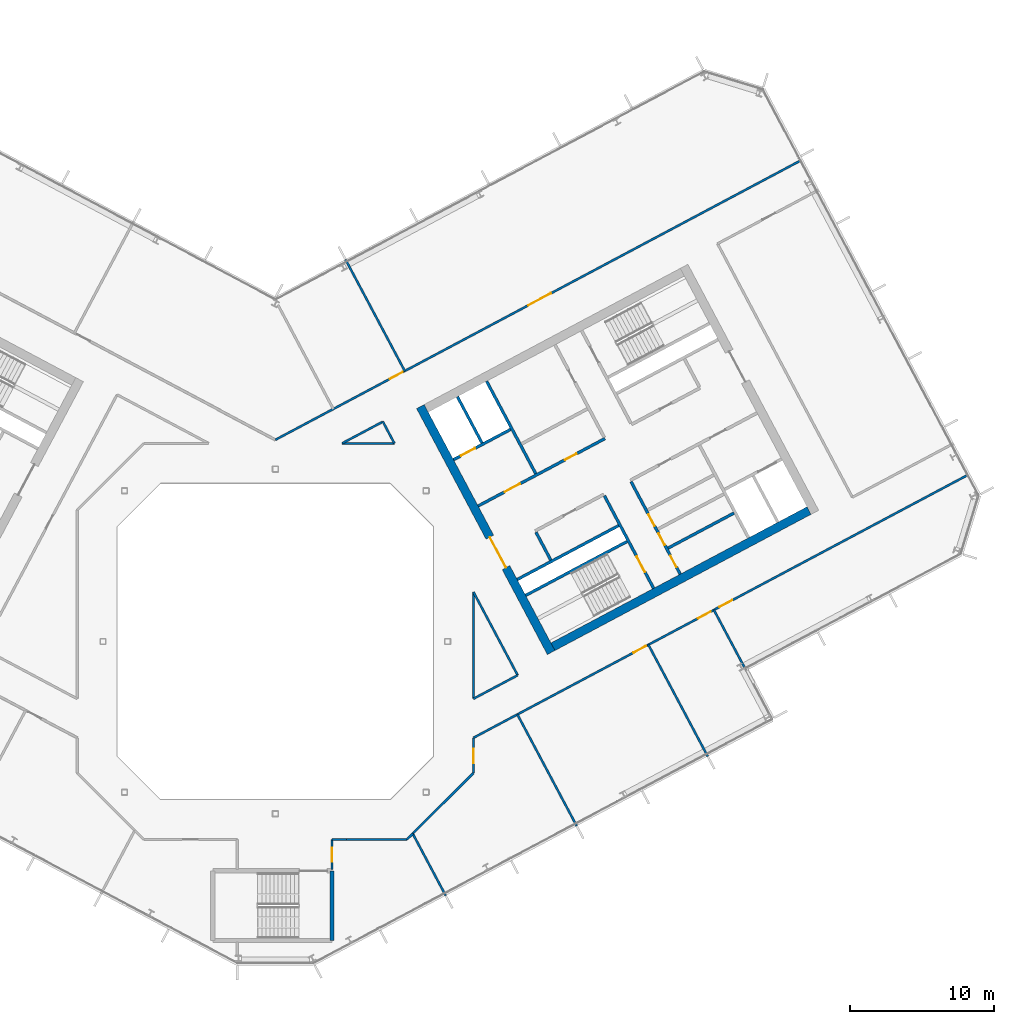
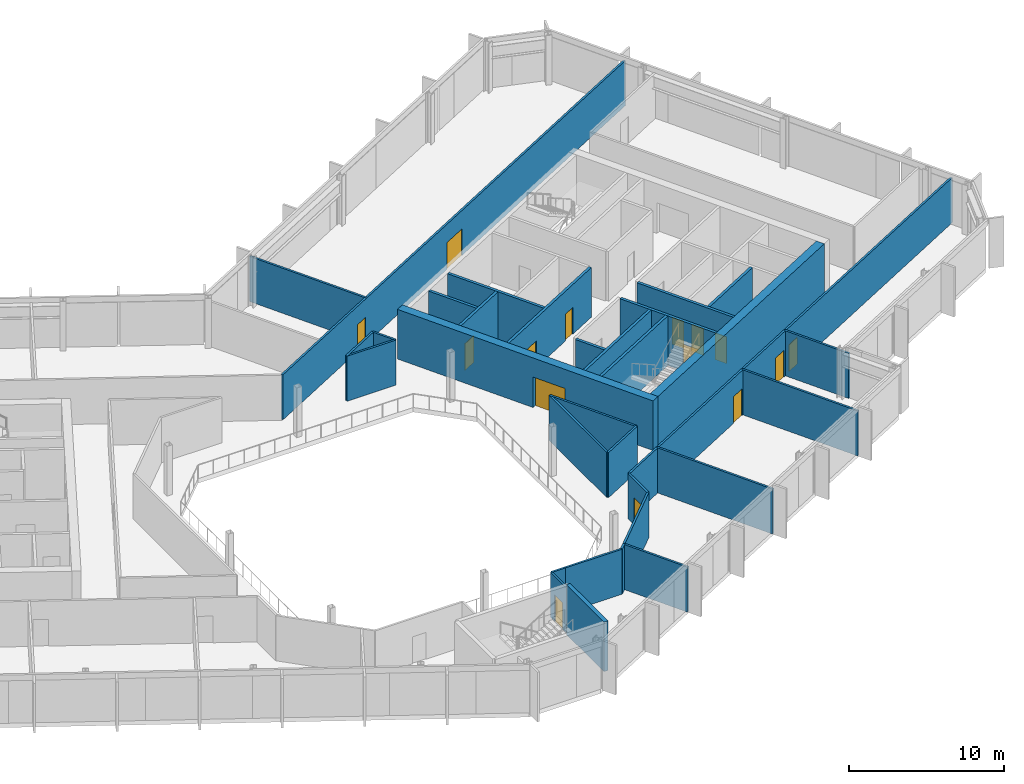
# One storey, part 15 of 26: 32 walls, 15 doors, 15 openings.
"""IFC4 building model written with IfcOpenShell, lengths in metres."""

from ifc_helpers import new_model, si_unit, direction, frame, frame_2d, origin, place, context, subcontext, project, spatial, rectangle, extrude, material, layer, layer_set, type_object, element, fill, save


model = new_model("IFC4")

# Units and contexts
model_context = context("Model", 3, precision=1e-05, world=origin(), true_north=direction((0.0, 1.0)))
body_context = subcontext(model_context, "Body", "Model", "MODEL_VIEW")
ifc_project = project(units=[si_unit("LENGTHUNIT", "METRE"), si_unit("AREAUNIT", "SQUARE_METRE"), si_unit("VOLUMEUNIT", "CUBIC_METRE"), si_unit("PLANEANGLEUNIT", "RADIAN"), si_unit("MASSUNIT", "GRAM", prefix="KILO")], contexts=[model_context])

# Site, building, storey
site_placement = place(None, origin())
site = spatial("IfcSite", under=ifc_project, at=site_placement, CompositionType="ELEMENT")
building_placement = place(site_placement, origin())
building = spatial("IfcBuilding", under=site, at=building_placement, Name="Cormorant Relay Tower", CompositionType="ELEMENT")
storey_placement = place(building_placement, frame((0.0, 0.0, 205.199951171875)))
storey = spatial("IfcBuildingStorey", under=building, at=storey_placement, Name="L44", CompositionType="ELEMENT", Elevation=205.199951171875)

# Walls
ifc_material_1 = material(Name="Concrete 40 MPa", Category="concrete")
ifc_layer_1 = layer(ifc_material_1, 0.199951171875)
ifc_layer_set_1 = layer_set([ifc_layer_1], Name="Core internal wall 200")
wall_type_1 = type_object("IfcWallType", Name="Core internal wall 200", PredefinedType="SOLIDWALL", material=ifc_layer_set_1)
wall_1_placement = place(storey_placement, frame((27.349365234375, 6.500732421875, 0.0), z_axis=(0.0, 0.0, 1.0), x_axis=(0.882953967957, 0.469459572775, 0.0)))
element("IfcWall", 1, at=wall_1_placement, inside=storey, type_object=wall_type_1, Name="L44 core B shaft and room wall", PredefinedType="SOLIDWALL", context=body_context, shape_type="SweptSolid", body=[
    extrude(rectangle(XDim=5.199951171875, YDim=0.199951171875, at=frame_2d((2.60009765625, 0.0))), origin(), (0.0, 0.0, 1.0), 3.900146484375),
])
ifc_material_2 = material(Name="Concrete 50 MPa", Category="concrete")
ifc_layer_2 = layer(ifc_material_2, 0.199951171875)
ifc_layer_set_2 = layer_set([ifc_layer_2], Name="Core shaft wall 200")
wall_type_2 = type_object("IfcWallType", Name="Core shaft wall 200", PredefinedType="SHEAR", material=ifc_layer_set_2)
wall_2_placement = place(storey_placement, frame((14.39404296875, 13.825927734375, 0.0), z_axis=(0.0, 0.0, 1.0), x_axis=(-0.469494272526, 0.882935517501, 0.0)))
element("IfcWall", 2, at=wall_2_placement, inside=storey, type_object=wall_type_2, Name="L44 core B shaft wall", PredefinedType="SHEAR", context=body_context, shape_type="SweptSolid", body=[
    extrude(rectangle(XDim=3.64990234375, YDim=0.199951171875, at=frame_2d((1.824951171875, 0.0))), origin(), (0.0, 0.0, 1.0), 3.900146484375),
])
wall_3_placement = place(storey_placement, frame((19.18359375, 5.669921875, 0.0), z_axis=(0.0, 0.0, 1.0), x_axis=(-0.4694473164, 0.882960484464, 0.0)))
element("IfcWall", 3, at=wall_3_placement, inside=storey, type_object=wall_type_2, Name="L44 core B shaft wall", PredefinedType="SHEAR", context=body_context, shape_type="SweptSolid", body=[
    extrude(rectangle(XDim=2.199951171875, YDim=0.199951171875, at=frame_2d((1.10009765625, 0.0))), origin(), (0.0, 0.0, 1.0), 3.900146484375),
])
wall_4_placement = place(storey_placement, frame((18.138427734375, 11.682861328125, 0.0), z_axis=(0.0, 0.0, 1.0), x_axis=(-0.469480409012, 0.88294288918, 0.0)))
element("IfcWall", 4, at=wall_4_placement, inside=storey, type_object=wall_type_2, Name="L44 core B shaft wall", PredefinedType="SHEAR", context=body_context, shape_type="SweptSolid", body=[
    extrude(rectangle(XDim=7.300048828125, YDim=0.199951171875, at=frame_2d((3.64990234375, 0.0))), origin(), (0.0, 0.0, 1.0), 3.900146484375),
])

# Wall, opening, door
wall_5_placement = place(storey_placement, frame((26.345947265625, 3.701904296875, 0.0), z_axis=(0.0, 0.0, 1.0), x_axis=(-0.469480409012, 0.88294288918, 0.0)))
wall_5 = element("IfcWall", 5, at=wall_5_placement, inside=storey, type_object=wall_type_2, Name="L44 core B shaft wall", PredefinedType="SHEAR", context=body_context, shape_type="SweptSolid", body=[
    extrude(rectangle(XDim=7.300048828125, YDim=0.199951171875, at=frame_2d((3.64990234375, 0.0))), origin(), (0.0, 0.0, 1.0), 3.900146484375),
])
opening_1_placement = place(wall_5_placement, frame((1.300048828125, 0.0, 0.0)))
opening_1 = element("IfcOpeningElement", 6, at=opening_1_placement, cuts=wall_5, Name="Opening CDB-040", PredefinedType="OPENING", context=body_context, shape_type="SweptSolid", body=[
    extrude(rectangle(XDim=1.199951171875, YDim=2.10009765625, at=frame_2d((0.60009765625, 1.050048828125))), frame((0.0, 0.10986328125, 0.0), z_axis=(0.0, -1.0, 0.0), x_axis=(1.0, 0.0, 0.0)), (0.0, 0.0, 1.0), 0.219970703125),
])
ifc_material_3 = material(Name="Steel fire door", Category="steel")
door_type_1 = type_object("IfcDoorType", Name="Core stair door 1200x2100", OperationType="SINGLE_SWING_LEFT", PredefinedType="DOOR", material=ifc_material_3)
door_1_placement = place(opening_1_placement, origin())
door_1 = element("IfcDoor", 7, at=door_1_placement, inside=storey, type_object=door_type_1, Name="Core stair door 1200x2100", OperationType="SINGLE_SWING_RIGHT", OverallHeight=2.10009765625, OverallWidth=1.199951171875, PredefinedType="DOOR", context=body_context, shape_type="SweptSolid", body=[
    extrude(rectangle(XDim=1.199951171875, YDim=2.10009765625, at=frame_2d((0.60009765625, 1.050048828125))), frame((0.0, 0.02490234375, 0.0), z_axis=(0.0, -1.0, 0.0), x_axis=(1.0, 0.0, 0.0)), (0.0, 0.0, 1.0), 0.050048828125),
])
fill(opening_1, door_1)

# Wall, openings, doors
wall_6_placement = place(storey_placement, frame((28.199951171875, 4.687744140625, 0.0), z_axis=(0.0, 0.0, 1.0), x_axis=(-0.469454336211, 0.882956752176, 0.0)))
wall_6 = element("IfcWall", 8, at=wall_6_placement, inside=storey, type_object=wall_type_2, Name="L44 core B shaft wall", PredefinedType="SHEAR", context=body_context, shape_type="SweptSolid", body=[
    extrude(rectangle(XDim=7.300048828125, YDim=0.199951171875, at=frame_2d((3.64990234375, 0.0))), origin(), (0.0, 0.0, 1.0), 3.900146484375),
])
opening_2_placement = place(wall_6_placement, frame((0.550048828125, 0.0, 0.0)))
opening_2 = element("IfcOpeningElement", 9, at=opening_2_placement, cuts=wall_6, Name="Opening CDD-265", PredefinedType="OPENING", context=body_context, shape_type="SweptSolid", body=[
    extrude(rectangle(XDim=0.89990234375, YDim=2.10009765625, at=frame_2d((0.449951171875, 1.050048828125))), frame((0.0, 0.10986328125, 0.0), z_axis=(0.0, -1.0, 0.0), x_axis=(1.0, 0.0, 0.0)), (0.0, 0.0, 1.0), 0.219970703125),
])
opening_3_placement = place(wall_6_placement, frame((2.300048828125, 0.0, 0.0)))
opening_3 = element("IfcOpeningElement", 10, at=opening_3_placement, cuts=wall_6, Name="Opening CDD-266", PredefinedType="OPENING", context=body_context, shape_type="SweptSolid", body=[
    extrude(rectangle(XDim=0.89990234375, YDim=2.10009765625, at=frame_2d((0.449951171875, 1.050048828125))), frame((0.0, 0.10986328125, 0.0), z_axis=(0.0, -1.0, 0.0), x_axis=(1.0, 0.0, 0.0)), (0.0, 0.0, 1.0), 0.219970703125),
])
opening_4_placement = place(wall_6_placement, frame((3.800048828125, 0.0, 0.0)))
opening_4 = element("IfcOpeningElement", 11, at=opening_4_placement, cuts=wall_6, Name="Opening CDD-267", PredefinedType="OPENING", context=body_context, shape_type="SweptSolid", body=[
    extrude(rectangle(XDim=0.89990234375, YDim=2.10009765625, at=frame_2d((0.449951171875, 1.050048828125))), frame((0.0, 0.10986328125, 0.0), z_axis=(0.0, -1.0, 0.0), x_axis=(1.0, 0.0, 0.0)), (0.0, 0.0, 1.0), 0.219970703125),
])
ifc_material_4 = material(Name="Steel fire door", Category="steel")
door_type_2 = type_object("IfcDoorType", Name="Core room door 900x2100", OperationType="SINGLE_SWING_LEFT", PredefinedType="DOOR", material=ifc_material_4)
door_2_placement = place(opening_2_placement, frame((0.89990234375, 0.0, 0.0), z_axis=(0.0, 0.0, 1.0), x_axis=(-1.0, 0.0, 0.0)))
door_2 = element("IfcDoor", 12, at=door_2_placement, inside=storey, type_object=door_type_2, Name="Core room door 900x2100", OperationType="SINGLE_SWING_LEFT", OverallHeight=2.10009765625, OverallWidth=0.89990234375, PredefinedType="DOOR", context=body_context, shape_type="SweptSolid", body=[
    extrude(rectangle(XDim=0.89990234375, YDim=2.10009765625, at=frame_2d((0.449951171875, 1.050048828125))), frame((0.0, 0.02490234375, 0.0), z_axis=(0.0, -1.0, 0.0), x_axis=(1.0, 0.0, 0.0)), (0.0, 0.0, 1.0), 0.050048828125),
])
fill(opening_2, door_2)
door_3_placement = place(opening_3_placement, frame((0.89990234375, 0.0, 0.0), z_axis=(0.0, 0.0, 1.0), x_axis=(-1.0, 0.0, 0.0)))
door_3 = element("IfcDoor", 13, at=door_3_placement, inside=storey, type_object=door_type_2, Name="Core room door 900x2100", OperationType="SINGLE_SWING_LEFT", OverallHeight=2.10009765625, OverallWidth=0.89990234375, PredefinedType="DOOR", context=body_context, shape_type="SweptSolid", body=[
    extrude(rectangle(XDim=0.89990234375, YDim=2.10009765625, at=frame_2d((0.449951171875, 1.050048828125))), frame((0.0, 0.02490234375, 0.0), z_axis=(0.0, -1.0, 0.0), x_axis=(1.0, 0.0, 0.0)), (0.0, 0.0, 1.0), 0.050048828125),
])
fill(opening_3, door_3)
door_4_placement = place(opening_4_placement, frame((0.89990234375, 0.0, 0.0), z_axis=(0.0, 0.0, 1.0), x_axis=(-1.0, 0.0, 0.0)))
door_4 = element("IfcDoor", 14, at=door_4_placement, inside=storey, type_object=door_type_2, Name="Core room door 900x2100", OperationType="SINGLE_SWING_LEFT", OverallHeight=2.10009765625, OverallWidth=0.89990234375, PredefinedType="DOOR", context=body_context, shape_type="SweptSolid", body=[
    extrude(rectangle(XDim=0.89990234375, YDim=2.10009765625, at=frame_2d((0.449951171875, 1.050048828125))), frame((0.0, 0.02490234375, 0.0), z_axis=(0.0, -1.0, 0.0), x_axis=(1.0, 0.0, 0.0)), (0.0, 0.0, 1.0), 0.050048828125),
])
fill(opening_4, door_4)

# Walls
for number, where, z_axis, x_axis, name in (
    (15, (17.43359375, 3.210205078125, 0.0), (0.0, 0.0, 1.0), (0.882940221191, 0.469485426614, 0.0), "L44 core B shaft wall"),
    (16, (16.8466796875, 4.31396484375, 0.0), (0.0, 0.0, 1.0), (0.882940221191, 0.469485426614, 0.0), "L44 core B shaft wall"),
):
    element("IfcWall", number, at=place(storey_placement, frame(where, z_axis=z_axis, x_axis=x_axis)), inside=storey, type_object=wall_type_2, Name=name, PredefinedType="SHEAR", context=body_context, shape_type="SweptSolid", body=[
        extrude(rectangle(XDim=8.0, YDim=0.199951171875, at=frame_2d((4.0, 0.0))), origin(), (0.0, 0.0, 1.0), 3.900146484375),
    ])

# Wall, openings, doors
wall_7_placement = place(storey_placement, frame((14.123779296875, 9.43505859375, 0.0), z_axis=(0.0, 0.0, 1.0), x_axis=(0.882940221191, 0.469485426614, 0.0)))
wall_7 = element("IfcWall", 17, at=wall_7_placement, inside=storey, type_object=wall_type_2, Name="L44 core B shaft wall", PredefinedType="SHEAR", context=body_context, shape_type="SweptSolid", body=[
    extrude(rectangle(XDim=10.0, YDim=0.199951171875, at=frame_2d((5.0, 0.0))), origin(), (0.0, 0.0, 1.0), 3.900146484375),
])
opening_5_placement = place(wall_7_placement, frame((2.10009765625, 0.0, 0.0)))
opening_5 = element("IfcOpeningElement", 18, at=opening_5_placement, cuts=wall_7, Name="Opening CDC-037", PredefinedType="OPENING", context=body_context, shape_type="SweptSolid", body=[
    extrude(rectangle(XDim=1.199951171875, YDim=2.10009765625, at=frame_2d((0.60009765625, 1.050048828125))), frame((0.0, 0.10986328125, 0.0), z_axis=(0.0, -1.0, 0.0), x_axis=(1.0, 0.0, 0.0)), (0.0, 0.0, 1.0), 0.219970703125),
])
opening_6_placement = place(wall_7_placement, frame((6.85009765625, 0.0, 0.0)))
opening_6 = element("IfcOpeningElement", 19, at=opening_6_placement, cuts=wall_7, Name="Opening CDD-260", PredefinedType="OPENING", context=body_context, shape_type="SweptSolid", body=[
    extrude(rectangle(XDim=0.89990234375, YDim=2.10009765625, at=frame_2d((0.449951171875, 1.050048828125))), frame((0.0, 0.10986328125, 0.0), z_axis=(0.0, -1.0, 0.0), x_axis=(1.0, 0.0, 0.0)), (0.0, 0.0, 1.0), 0.219970703125),
])
ifc_material_5 = material(Name="Steel fire door", Category="steel")
door_type_3 = type_object("IfcDoorType", Name="Core lobby door 1200x2100", OperationType="SINGLE_SWING_LEFT", PredefinedType="DOOR", material=ifc_material_5)
door_5_placement = place(opening_5_placement, origin())
door_5 = element("IfcDoor", 20, at=door_5_placement, inside=storey, type_object=door_type_3, Name="Core lobby door 1200x2100", OperationType="SINGLE_SWING_RIGHT", OverallHeight=2.10009765625, OverallWidth=1.199951171875, PredefinedType="DOOR", context=body_context, shape_type="SweptSolid", body=[
    extrude(rectangle(XDim=1.199951171875, YDim=2.10009765625, at=frame_2d((0.60009765625, 1.050048828125))), frame((0.0, 0.02490234375, 0.0), z_axis=(0.0, -1.0, 0.0), x_axis=(1.0, 0.0, 0.0)), (0.0, 0.0, 1.0), 0.050048828125),
])
fill(opening_5, door_5)
door_6_placement = place(opening_6_placement, origin())
door_6 = element("IfcDoor", 21, at=door_6_placement, inside=storey, type_object=door_type_2, Name="Core room door 900x2100", OperationType="SINGLE_SWING_LEFT", OverallHeight=2.10009765625, OverallWidth=0.89990234375, PredefinedType="DOOR", context=body_context, shape_type="SweptSolid", body=[
    extrude(rectangle(XDim=0.89990234375, YDim=2.10009765625, at=frame_2d((0.449951171875, 1.050048828125))), frame((0.0, 0.02490234375, 0.0), z_axis=(0.0, -1.0, 0.0), x_axis=(1.0, 0.0, 0.0)), (0.0, 0.0, 1.0), 0.050048828125),
])
fill(opening_6, door_6)

# Wall, opening, door
wall_8_placement = place(storey_placement, frame((12.41015625, 12.657958984375, 0.0), z_axis=(0.0, 0.0, 1.0), x_axis=(0.8829484765, 0.469469900894, 0.0)))
wall_8 = element("IfcWall", 22, at=wall_8_placement, inside=storey, type_object=wall_type_2, Name="L44 core B shaft wall", PredefinedType="SHEAR", context=body_context, shape_type="SweptSolid", body=[
    extrude(rectangle(XDim=4.499755859375, YDim=0.199951171875, at=frame_2d((2.25, 0.0))), origin(), (0.0, 0.0, 1.0), 3.900146484375),
])
opening_7_placement = place(wall_8_placement, frame((0.60009765625, 0.0, 0.0)))
opening_7 = element("IfcOpeningElement", 23, at=opening_7_placement, cuts=wall_8, Name="Opening LD1-064", PredefinedType="OPENING", context=body_context, shape_type="SweptSolid", body=[
    extrude(rectangle(XDim=1.10009765625, YDim=2.10009765625, at=frame_2d((0.550048828125, 1.050048828125))), frame((0.0, 0.10986328125, 0.0), z_axis=(0.0, -1.0, 0.0), x_axis=(1.0, 0.0, 0.0)), (0.0, 0.0, 1.0), 0.219970703125),
])
ifc_material_6 = material(Name="Stainless steel 316", Category="steel")
door_type_4 = type_object("IfcDoorType", Name="Lift landing door 1100x2100", OperationType="DOUBLE_DOOR_SLIDING", PredefinedType="DOOR", material=ifc_material_6)
door_7_placement = place(opening_7_placement, origin())
door_7 = element("IfcDoor", 24, at=door_7_placement, inside=storey, type_object=door_type_4, Name="FF2 landing door", OperationType="DOUBLE_DOOR_SLIDING", OverallHeight=2.10009765625, OverallWidth=1.10009765625, PredefinedType="DOOR", context=body_context, shape_type="SweptSolid", body=[
    extrude(rectangle(XDim=1.10009765625, YDim=2.10009765625, at=frame_2d((0.550048828125, 1.050048828125))), frame((0.0, 0.02490234375, 0.0), z_axis=(0.0, -1.0, 0.0), x_axis=(1.0, 0.0, 0.0)), (0.0, 0.0, 1.0), 0.050048828125),
])
fill(opening_7, door_7)

ifc_material_7 = material(Name="Concrete 50 MPa", Category="concrete")
ifc_layer_3 = layer(ifc_material_7, 0.60009765625)
ifc_layer_set_3 = layer_set([ifc_layer_3], Name="Core wall 600")
wall_type_3 = type_object("IfcWallType", Name="Core wall 600", PredefinedType="SHEAR", material=ifc_layer_set_3)
wall_9_placement = place(storey_placement, frame((19.210693359375, -0.771484375, 0.0), z_axis=(0.0, 0.0, 1.0), x_axis=(-0.469463742137, 0.882951751127, 0.0)))
wall_9 = element("IfcWall", 25, at=wall_9_placement, inside=storey, type_object=wall_type_3, Name="L44 core B wall", PredefinedType="SHEAR", context=body_context, shape_type="SweptSolid", body=[
    extrude(rectangle(XDim=19.400146484375, YDim=0.60009765625, at=frame_2d((9.7001953125, 0.0))), origin(), (0.0, 0.0, 1.0), 3.900146484375),
])
opening_8_placement = place(wall_9_placement, frame((6.699951171875, 0.0, 0.0)))
opening_8 = element("IfcOpeningElement", 26, at=opening_8_placement, cuts=wall_9, Name="Opening CDA-044", PredefinedType="OPENING", context=body_context, shape_type="SweptSolid", body=[
    extrude(rectangle(XDim=2.39990234375, YDim=2.39990234375, at=frame_2d((1.199951171875, 1.199951171875))), frame((0.0, 0.31005859375, 0.0), z_axis=(0.0, -1.0, 0.0), x_axis=(1.0, 0.0, 0.0)), (0.0, 0.0, 1.0), 0.6201171875),
])
ifc_material_8 = material(Name="Steel fire door", Category="steel")
door_type_5 = type_object("IfcDoorType", Name="Core lobby door 2400x2400", OperationType="DOUBLE_DOOR_SINGLE_SWING", PredefinedType="DOOR", material=ifc_material_8)
door_8_placement = place(opening_8_placement, origin())
door_8 = element("IfcDoor", 27, at=door_8_placement, inside=storey, type_object=door_type_5, Name="Core lobby door 2400x2400", OperationType="DOUBLE_DOOR_SINGLE_SWING", OverallHeight=2.39990234375, OverallWidth=2.39990234375, PredefinedType="DOOR", context=body_context, shape_type="SweptSolid", body=[
    extrude(rectangle(XDim=2.39990234375, YDim=2.39990234375, at=frame_2d((1.199951171875, 1.199951171875))), frame((0.0, 0.02490234375, 0.0), z_axis=(0.0, -1.0, 0.0), x_axis=(1.0, 0.0, 0.0)), (0.0, 0.0, 1.0), 0.050048828125),
])
fill(opening_8, door_8)

# Wall
wall_10_placement = place(storey_placement, frame((19.3349609375, -0.36572265625, 0.0), z_axis=(0.0, 0.0, 1.0), x_axis=(0.88294509198, 0.469476266226, 0.0)))
element("IfcWall", 28, at=wall_10_placement, inside=storey, type_object=wall_type_3, Name="L44 core B wall", PredefinedType="SHEAR", context=body_context, shape_type="SweptSolid", body=[
    extrude(rectangle(XDim=20.199951171875, YDim=0.60009765625, at=frame_2d((10.10009765625, 0.0))), origin(), (0.0, 0.0, 1.0), 3.900146484375),
])

# Wall, openings, doors
ifc_material_9 = material(Name="Gypsum board fire partition")
ifc_layer_4 = layer(ifc_material_9, 0.14990234375)
ifc_layer_set_4 = layer_set([ifc_layer_4], Name="Corridor partition 150 EI 60")
wall_type_4 = type_object("IfcWallType", Name="Corridor partition 150 EI 60", PredefinedType="PARTITIONING", material=ifc_layer_set_4)
wall_11_placement = place(storey_placement, frame((0.0, 14.0439453125, 0.0), z_axis=(0.0, 0.0, 1.0), x_axis=(0.882962129795, 0.469444221764, 0.0)))
wall_11 = element("IfcWall", 29, at=wall_11_placement, inside=storey, type_object=wall_type_4, Name="wall/L44/part/012", PredefinedType="PARTITIONING", context=body_context, shape_type="SweptSolid", body=[
    extrude(rectangle(XDim=41.606689453125, YDim=0.14990234375, at=frame_2d((20.80322265625, 0.0))), origin(), (0.0, 0.0, 1.0), 3.5400390625),
])
opening_9_placement = place(wall_11_placement, frame((19.949951171875, 0.0, 0.0)))
opening_9 = element("IfcOpeningElement", 30, at=opening_9_placement, cuts=wall_11, Name="Opening DD-023", PredefinedType="OPENING", context=body_context, shape_type="SweptSolid", body=[
    extrude(rectangle(XDim=1.800048828125, YDim=2.10009765625, at=frame_2d((0.89990234375, 1.050048828125))), frame((0.0, 0.0849609375, 0.0), z_axis=(0.0, -1.0, 0.0), x_axis=(1.0, 0.0, 0.0)), (0.0, 0.0, 1.0), 0.169921875),
])
opening_10_placement = place(wall_11_placement, frame((9.050048828125, 0.0, 0.0)))
opening_10 = element("IfcOpeningElement", 31, at=opening_10_placement, cuts=wall_11, Name="Opening DS-133", PredefinedType="OPENING", context=body_context, shape_type="SweptSolid", body=[
    extrude(rectangle(XDim=1.0, YDim=2.10009765625, at=frame_2d((0.5, 1.050048828125))), frame((0.0, 0.0849609375, 0.0), z_axis=(0.0, -1.0, 0.0), x_axis=(1.0, 0.0, 0.0)), (0.0, 0.0, 1.0), 0.169921875),
])
ifc_material_10 = material(Name="Timber door leaf", Category="wood")
door_type_6 = type_object("IfcDoorType", Name="Suite door 1000x2100", OperationType="SINGLE_SWING_LEFT", PredefinedType="DOOR", material=ifc_material_10)
door_9_placement = place(opening_10_placement, origin())
door_9 = element("IfcDoor", 32, at=door_9_placement, inside=storey, type_object=door_type_6, Name="door/L44/016", OperationType="SINGLE_SWING_RIGHT", OverallHeight=2.10009765625, OverallWidth=1.0, PredefinedType="DOOR", context=body_context, shape_type="SweptSolid", body=[
    extrude(rectangle(XDim=1.0, YDim=2.10009765625, at=frame_2d((0.5, 1.050048828125))), frame((0.0, 0.02490234375, 0.0), z_axis=(0.0, -1.0, 0.0), x_axis=(1.0, 0.0, 0.0)), (0.0, 0.0, 1.0), 0.050048828125),
])
fill(opening_10, door_9)
ifc_material_11 = material(Name="Timber door leaf", Category="wood")
door_type_7 = type_object("IfcDoorType", Name="Suite double door 1800x2100", OperationType="DOUBLE_DOOR_SINGLE_SWING", PredefinedType="DOOR", material=ifc_material_11)
door_10_placement = place(opening_9_placement, origin())
door_10 = element("IfcDoor", 33, at=door_10_placement, inside=storey, type_object=door_type_7, Name="door/L44/015", OperationType="DOUBLE_DOOR_SINGLE_SWING", OverallHeight=2.10009765625, OverallWidth=1.800048828125, PredefinedType="DOOR", context=body_context, shape_type="SweptSolid", body=[
    extrude(rectangle(XDim=1.800048828125, YDim=2.10009765625, at=frame_2d((0.89990234375, 1.050048828125))), frame((0.0, 0.02490234375, 0.0), z_axis=(0.0, -1.0, 0.0), x_axis=(1.0, 0.0, 0.0)), (0.0, 0.0, 1.0), 0.050048828125),
])
fill(opening_9, door_10)

# Wall
wall_12_placement = place(storey_placement, frame((4.9541015625, -13.800048828125, 0.0), z_axis=(0.0, 0.0, 1.0), x_axis=(-1.0, 0.0, 0.0)))
element("IfcWall", 34, at=wall_12_placement, inside=storey, type_object=wall_type_4, Name="wall/L44/part/030", PredefinedType="PARTITIONING", context=body_context, shape_type="SweptSolid", body=[
    extrude(rectangle(XDim=1.004150390625, YDim=0.14990234375, at=frame_2d((0.501953125, 0.0))), origin(), (0.0, 0.0, 1.0), 3.5400390625),
])

# Wall, opening, door
wall_13_placement = place(storey_placement, frame((3.949951171875, -13.800048828125, 0.0), z_axis=(0.0, 0.0, 1.0), x_axis=(0.0, -1.0, 0.0)))
wall_13 = element("IfcWall", 35, at=wall_13_placement, inside=storey, type_object=wall_type_4, Name="wall/L44/part/031", PredefinedType="PARTITIONING", context=body_context, shape_type="SweptSolid", body=[
    extrude(rectangle(XDim=2.074951171875, YDim=0.14990234375, at=frame_2d((1.03759765625, 0.0))), origin(), (0.0, 0.0, 1.0), 3.5400390625),
])
opening_11_placement = place(wall_13_placement, frame((0.550048828125, 0.0, 0.0)))
opening_11 = element("IfcOpeningElement", 36, at=opening_11_placement, cuts=wall_13, Name="Opening DS-107", PredefinedType="OPENING", context=body_context, shape_type="SweptSolid", body=[
    extrude(rectangle(XDim=1.0, YDim=2.10009765625, at=frame_2d((0.5, 1.050048828125))), frame((0.0, 0.0849609375, 0.0), z_axis=(0.0, -1.0, 0.0), x_axis=(1.0, 0.0, 0.0)), (0.0, 0.0, 1.0), 0.169921875),
])
door_11_placement = place(opening_11_placement, origin())
door_11 = element("IfcDoor", 37, at=door_11_placement, inside=storey, type_object=door_type_6, Name="door/L44/001", OperationType="SINGLE_SWING_LEFT", OverallHeight=2.10009765625, OverallWidth=1.0, PredefinedType="DOOR", context=body_context, shape_type="SweptSolid", body=[
    extrude(rectangle(XDim=1.0, YDim=2.10009765625, at=frame_2d((0.5, 1.050048828125))), frame((0.0, 0.02490234375, 0.0), z_axis=(0.0, -1.0, 0.0), x_axis=(1.0, 0.0, 0.0)), (0.0, 0.0, 1.0), 0.050048828125),
])
fill(opening_11, door_11)

# Walls
wall_14_placement = place(storey_placement, frame((9.159912109375, -13.800048828125, 0.0), z_axis=(0.0, 0.0, 1.0), x_axis=(-1.0, 0.0, 0.0)))
element("IfcWall", 38, at=wall_14_placement, inside=storey, type_object=wall_type_4, Name="wall/L44/part/032", PredefinedType="PARTITIONING", context=body_context, shape_type="SweptSolid", body=[
    extrude(rectangle(XDim=4.205810546875, YDim=0.14990234375, at=frame_2d((2.10302734375, 0.0))), origin(), (0.0, 0.0, 1.0), 3.5400390625),
])
wall_15_placement = place(storey_placement, frame((9.158935546875, -13.800048828125, 0.0), z_axis=(0.0, 0.0, 1.0), x_axis=(0.707945081169, 0.70626748619, 0.0)))
element("IfcWall", 39, at=wall_15_placement, inside=storey, type_object=wall_type_4, Name="wall/L44/part/033", PredefinedType="PARTITIONING", context=body_context, shape_type="SweptSolid", body=[
    extrude(rectangle(XDim=0.58203125, YDim=0.14990234375, at=frame_2d((0.291015625, 0.0))), origin(), (0.0, 0.0, 1.0), 3.5400390625),
])

# Wall, opening, door
wall_16_placement = place(storey_placement, frame((13.800048828125, -6.722900390625, 0.0), z_axis=(0.0, 0.0, 1.0), x_axis=(0.0, -1.0, 0.0)))
wall_16 = element("IfcWall", 40, at=wall_16_placement, inside=storey, type_object=wall_type_4, Name="wall/L44/part/035", PredefinedType="PARTITIONING", context=body_context, shape_type="SweptSolid", body=[
    extrude(rectangle(XDim=2.43701171875, YDim=0.14990234375, at=frame_2d((1.218505859375, 0.0))), origin(), (0.0, 0.0, 1.0), 3.5400390625),
])
opening_12_placement = place(wall_16_placement, frame((0.75, 0.0, 0.0)))
opening_12 = element("IfcOpeningElement", 41, at=opening_12_placement, cuts=wall_16, Name="Opening DS-123", PredefinedType="OPENING", context=body_context, shape_type="SweptSolid", body=[
    extrude(rectangle(XDim=1.0, YDim=2.10009765625, at=frame_2d((0.5, 1.050048828125))), frame((0.0, 0.0849609375, 0.0), z_axis=(0.0, -1.0, 0.0), x_axis=(1.0, 0.0, 0.0)), (0.0, 0.0, 1.0), 0.169921875),
])
door_12_placement = place(opening_12_placement, origin())
door_12 = element("IfcDoor", 42, at=door_12_placement, inside=storey, type_object=door_type_6, Name="door/L44/002", OperationType="SINGLE_SWING_LEFT", OverallHeight=2.10009765625, OverallWidth=1.0, PredefinedType="DOOR", context=body_context, shape_type="SweptSolid", body=[
    extrude(rectangle(XDim=1.0, YDim=2.10009765625, at=frame_2d((0.5, 1.050048828125))), frame((0.0, 0.02490234375, 0.0), z_axis=(0.0, -1.0, 0.0), x_axis=(1.0, 0.0, 0.0)), (0.0, 0.0, 1.0), 0.050048828125),
])
fill(opening_12, door_12)

# Wall
wall_17_placement = place(storey_placement, frame((13.800048828125, -9.159912109375, 0.0), z_axis=(0.0, 0.0, 1.0), x_axis=(-0.707187736796, -0.707025816307, 0.0)))
element("IfcWall", 43, at=wall_17_placement, inside=storey, type_object=wall_type_4, Name="wall/L44/part/036", PredefinedType="PARTITIONING", context=body_context, shape_type="SweptSolid", body=[
    extrude(rectangle(XDim=6.031005859375, YDim=0.14990234375, at=frame_2d((3.015625, 0.0))), origin(), (0.0, 0.0, 1.0), 3.5400390625),
])

# Wall, openings, doors
wall_18_placement = place(storey_placement, frame((48.3798828125, 11.678955078125, 0.0), z_axis=(0.0, 0.0, 1.0), x_axis=(-0.882962559816, -0.469443412951, 0.0)))
wall_18 = element("IfcWall", 44, at=wall_18_placement, inside=storey, type_object=wall_type_4, Name="wall/L44/part/038", PredefinedType="PARTITIONING", context=body_context, shape_type="SweptSolid", body=[
    extrude(rectangle(XDim=39.163330078125, YDim=0.14990234375, at=frame_2d((19.58154296875, 0.0))), origin(), (0.0, 0.0, 1.0), 3.5400390625),
])
opening_13_placement = place(wall_18_placement, frame((25.550048828125, 0.0, 0.0)))
opening_13 = element("IfcOpeningElement", 45, at=opening_13_placement, cuts=wall_18, Name="Opening DS-124", PredefinedType="OPENING", context=body_context, shape_type="SweptSolid", body=[
    extrude(rectangle(XDim=1.0, YDim=2.10009765625, at=frame_2d((0.5, 1.050048828125))), frame((0.0, 0.0849609375, 0.0), z_axis=(0.0, -1.0, 0.0), x_axis=(1.0, 0.0, 0.0)), (0.0, 0.0, 1.0), 0.169921875),
])
opening_14_placement = place(wall_18_placement, frame((20.449951171875, 0.0, 0.0)))
opening_14 = element("IfcOpeningElement", 46, at=opening_14_placement, cuts=wall_18, Name="Opening DS-109", PredefinedType="OPENING", context=body_context, shape_type="SweptSolid", body=[
    extrude(rectangle(XDim=1.0, YDim=2.10009765625, at=frame_2d((0.5, 1.050048828125))), frame((0.0, 0.0849609375, 0.0), z_axis=(0.0, -1.0, 0.0), x_axis=(1.0, 0.0, 0.0)), (0.0, 0.0, 1.0), 0.169921875),
])
opening_15_placement = place(wall_18_placement, frame((18.75, 0.0, 0.0)))
opening_15 = element("IfcOpeningElement", 47, at=opening_15_placement, cuts=wall_18, Name="Opening DS-110", PredefinedType="OPENING", context=body_context, shape_type="SweptSolid", body=[
    extrude(rectangle(XDim=1.0, YDim=2.10009765625, at=frame_2d((0.5, 1.050048828125))), frame((0.0, 0.0849609375, 0.0), z_axis=(0.0, -1.0, 0.0), x_axis=(1.0, 0.0, 0.0)), (0.0, 0.0, 1.0), 0.169921875),
])
door_13_placement = place(opening_13_placement, origin())
door_13 = element("IfcDoor", 48, at=door_13_placement, inside=storey, type_object=door_type_6, Name="door/L44/003", OperationType="SINGLE_SWING_LEFT", OverallHeight=2.10009765625, OverallWidth=1.0, PredefinedType="DOOR", context=body_context, shape_type="SweptSolid", body=[
    extrude(rectangle(XDim=1.0, YDim=2.10009765625, at=frame_2d((0.5, 1.050048828125))), frame((0.0, 0.02490234375, 0.0), z_axis=(0.0, -1.0, 0.0), x_axis=(1.0, 0.0, 0.0)), (0.0, 0.0, 1.0), 0.050048828125),
])
fill(opening_13, door_13)
door_14_placement = place(opening_14_placement, origin())
door_14 = element("IfcDoor", 49, at=door_14_placement, inside=storey, type_object=door_type_6, Name="door/L44/004", OperationType="SINGLE_SWING_LEFT", OverallHeight=2.10009765625, OverallWidth=1.0, PredefinedType="DOOR", context=body_context, shape_type="SweptSolid", body=[
    extrude(rectangle(XDim=1.0, YDim=2.10009765625, at=frame_2d((0.5, 1.050048828125))), frame((0.0, 0.02490234375, 0.0), z_axis=(0.0, -1.0, 0.0), x_axis=(1.0, 0.0, 0.0)), (0.0, 0.0, 1.0), 0.050048828125),
])
fill(opening_14, door_14)
door_15_placement = place(opening_15_placement, origin())
door_15 = element("IfcDoor", 50, at=door_15_placement, inside=storey, type_object=door_type_6, Name="door/L44/005", OperationType="SINGLE_SWING_RIGHT", OverallHeight=2.10009765625, OverallWidth=1.0, PredefinedType="DOOR", context=body_context, shape_type="SweptSolid", body=[
    extrude(rectangle(XDim=1.0, YDim=2.10009765625, at=frame_2d((0.5, 1.050048828125))), frame((0.0, 0.02490234375, 0.0), z_axis=(0.0, -1.0, 0.0), x_axis=(1.0, 0.0, 0.0)), (0.0, 0.0, 1.0), 0.050048828125),
])
fill(opening_15, door_15)

# Walls
wall_19_placement = place(storey_placement, frame((4.653076171875, 13.800048828125, 0.0), z_axis=(0.0, 0.0, 1.0), x_axis=(1.0, 0.0, 0.0)))
element("IfcWall", 51, at=wall_19_placement, inside=storey, type_object=wall_type_4, Name="wall/L44/part/050", PredefinedType="PARTITIONING", context=body_context, shape_type="SweptSolid", body=[
    extrude(rectangle(XDim=3.638916015625, YDim=0.14990234375, at=frame_2d((1.8193359375, 0.0))), origin(), (0.0, 0.0, 1.0), 3.5400390625),
])
wall_20_placement = place(storey_placement, frame((8.2919921875, 13.800048828125, 0.0), z_axis=(0.0, 0.0, 1.0), x_axis=(-0.469541856947, 0.882910213201, 0.0)))
element("IfcWall", 52, at=wall_20_placement, inside=storey, type_object=wall_type_4, Name="wall/L44/part/051", PredefinedType="PARTITIONING", context=body_context, shape_type="SweptSolid", body=[
    extrude(rectangle(XDim=1.7080078125, YDim=0.14990234375, at=frame_2d((0.85400390625, 0.0))), origin(), (0.0, 0.0, 1.0), 3.5400390625),
])
wall_21_placement = place(storey_placement, frame((7.489990234375, 15.30810546875, 0.0), z_axis=(0.0, 0.0, 1.0), x_axis=(-0.882993690295, -0.469384855848, 0.0)))
element("IfcWall", 53, at=wall_21_placement, inside=storey, type_object=wall_type_4, Name="wall/L44/part/052", PredefinedType="PARTITIONING", context=body_context, shape_type="SweptSolid", body=[
    extrude(rectangle(XDim=3.212890625, YDim=0.14990234375, at=frame_2d((1.6064453125, 0.0))), origin(), (0.0, 0.0, 1.0), 3.5400390625),
])
wall_22_placement = place(storey_placement, frame((16.87890625, -2.35107421875, 0.0), z_axis=(0.0, 0.0, 1.0), x_axis=(-0.469376544617, 0.882998108358, 0.0)))
element("IfcWall", 54, at=wall_22_placement, inside=storey, type_object=wall_type_4, Name="wall/L44/part/053", PredefinedType="PARTITIONING", context=body_context, shape_type="SweptSolid", body=[
    extrude(rectangle(XDim=6.5595703125, YDim=0.14990234375, at=frame_2d((3.27978515625, 0.0))), origin(), (0.0, 0.0, 1.0), 3.5400390625),
])
wall_23_placement = place(storey_placement, frame((13.800048828125, 3.44091796875, 0.0), z_axis=(0.0, 0.0, 1.0), x_axis=(0.0, -1.0, 0.0)))
element("IfcWall", 55, at=wall_23_placement, inside=storey, type_object=wall_type_4, Name="wall/L44/part/054", PredefinedType="PARTITIONING", context=body_context, shape_type="SweptSolid", body=[
    extrude(rectangle(XDim=7.428955078125, YDim=0.14990234375, at=frame_2d((3.71435546875, 0.0))), origin(), (0.0, 0.0, 1.0), 3.5400390625),
])
wall_24_placement = place(storey_placement, frame((13.800048828125, -3.988037109375, 0.0), z_axis=(0.0, 0.0, 1.0), x_axis=(0.882958842974, 0.469450403786, 0.0)))
element("IfcWall", 56, at=wall_24_placement, inside=storey, type_object=wall_type_4, Name="wall/L44/part/055", PredefinedType="PARTITIONING", context=body_context, shape_type="SweptSolid", body=[
    extrude(rectangle(XDim=3.487060546875, YDim=0.14990234375, at=frame_2d((1.74365234375, 0.0))), origin(), (0.0, 0.0, 1.0), 3.5400390625),
])
ifc_material_12 = material(Name="Concrete 50 MPa", Category="concrete")
ifc_layer_5 = layer(ifc_material_12, 0.300048828125)
ifc_layer_set_5 = layer_set([ifc_layer_5], Name="Remote stair wall 300")
wall_type_5 = type_object("IfcWallType", Name="Remote stair wall 300", PredefinedType="SHEAR", material=ifc_layer_set_5)
wall_25_placement = place(storey_placement, frame((3.949951171875, -15.97509765625, 0.0), z_axis=(0.0, 0.0, 1.0), x_axis=(0.0, -1.0, 0.0)))
element("IfcWall", 57, at=wall_25_placement, inside=storey, type_object=wall_type_5, Name="L44 exit stair RK1 wall", PredefinedType="SHEAR", context=body_context, shape_type="SweptSolid", body=[
    extrude(rectangle(XDim=4.849853515625, YDim=0.300048828125, at=frame_2d((2.4248046875, 0.0))), origin(), (0.0, 0.0, 1.0), 3.900146484375),
])
ifc_material_13 = material(Name="Gypsum board partition")
ifc_layer_6 = layer(ifc_material_13, 0.14990234375)
ifc_layer_set_6 = layer_set([ifc_layer_6], Name="Tenant partition 150")
wall_type_6 = type_object("IfcWallType", Name="Tenant partition 150", PredefinedType="PARTITIONING", material=ifc_layer_set_6)
wall_26_placement = place(storey_placement, frame((4.885009765625, 26.60791015625, 0.0), z_axis=(0.0, 0.0, 1.0), x_axis=(0.469445946219, -0.882961212952, 0.0)))
element("IfcWall", 58, at=wall_26_placement, inside=storey, type_object=wall_type_6, Name="wall/L44/part/029", PredefinedType="PARTITIONING", context=body_context, shape_type="SweptSolid", body=[
    extrude(rectangle(XDim=8.800048828125, YDim=0.14990234375, at=frame_2d((4.39990234375, 0.0))), origin(), (0.0, 0.0, 1.0), 3.5400390625),
])
wall_27_placement = place(storey_placement, frame((9.572998046875, -13.386962890625, 0.0), z_axis=(0.0, 0.0, 1.0), x_axis=(0.469342774431, -0.883016058795, 0.0)))
element("IfcWall", 59, at=wall_27_placement, inside=storey, type_object=wall_type_6, Name="wall/L44/part/034", PredefinedType="PARTITIONING", context=body_context, shape_type="SweptSolid", body=[
    extrude(rectangle(XDim=4.885498046875, YDim=0.14990234375, at=frame_2d((2.44287109375, 0.0))), origin(), (0.0, 0.0, 1.0), 3.5400390625),
])
for number, where, z_axis, x_axis, name in (
    (60, (16.85888671875, -5.080078125, 0.0), (0.0, 0.0, 1.0), (0.469445946219, -0.882961212952, 0.0), "wall/L44/part/037"),
    (61, (25.98193359375, -0.22900390625, 0.0), (0.0, 0.0, 1.0), (0.469445946219, -0.882961212952, 0.0), "wall/L44/part/039"),
):
    element("IfcWall", number, at=place(storey_placement, frame(where, z_axis=z_axis, x_axis=x_axis)), inside=storey, type_object=wall_type_6, Name=name, PredefinedType="PARTITIONING", context=body_context, shape_type="SweptSolid", body=[
        extrude(rectangle(XDim=8.800048828125, YDim=0.14990234375, at=frame_2d((4.39990234375, 0.0))), origin(), (0.0, 0.0, 1.0), 3.5400390625),
    ])
wall_28_placement = place(storey_placement, frame((30.5439453125, 2.197021484375, 0.0), z_axis=(0.0, 0.0, 1.0), x_axis=(0.469518415739, -0.882922679107, 0.0)))
element("IfcWall", 62, at=wall_28_placement, inside=storey, type_object=wall_type_6, Name="wall/L44/part/040", PredefinedType="PARTITIONING", context=body_context, shape_type="SweptSolid", body=[
    extrude(rectangle(XDim=4.881591796875, YDim=0.14990234375, at=frame_2d((2.44091796875, 0.0))), origin(), (0.0, 0.0, 1.0), 3.5400390625),
])

save(model, "model.ifc")
